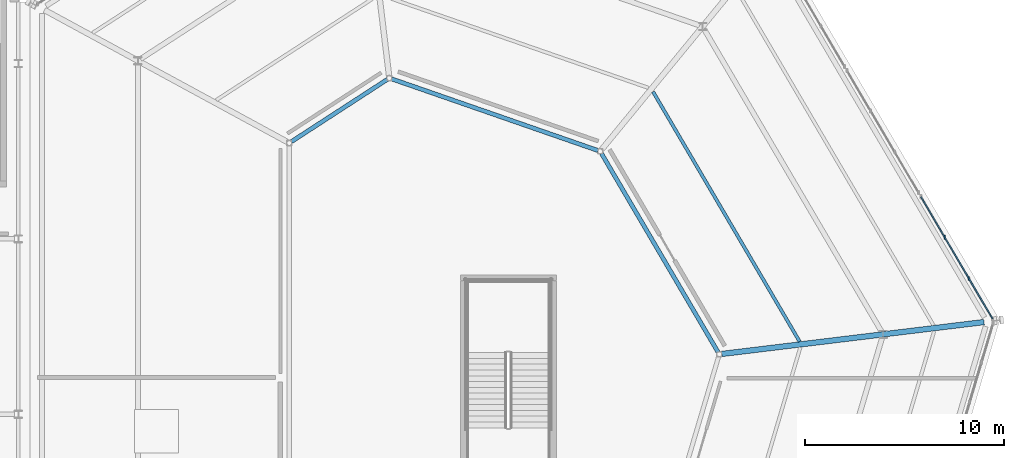
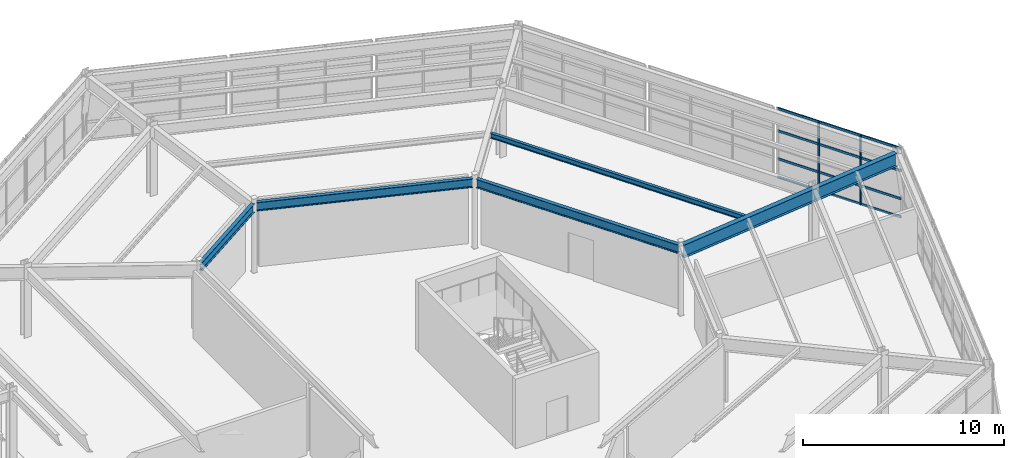
# One storey, part 46 of 88: 6 members, 5 beams, 1 element without a shape of its own.
"""IFC4 building model written with IfcOpenShell, lengths in metres."""

import ifcopenshell
import ifcopenshell.guid

model = None  # the IFC model being written
_history = None  # IfcOwnerHistory: only IFC2X3 demands one
_inside = {}  # id of a spatial element -> (the spatial element, [elements in it])
_under = {}  # id of a project, library or spatial element -> (it, [spatial elements below it])
_declared = {}  # id of a project -> (the project, [libraries it declares])
_typed = {}  # id of a type object -> (the type object, [elements of that type])
_made_of = {}  # id of a material, layer set ... -> (it, [elements and type objects made of it])


def new_model(schema):
    """Start an empty IFC model of exactly this schema.

    Asked for "IFC4X3", IfcOpenShell would pick the latest addendum, in which some entities
    have other attributes; the version numbers below select the first issue.
    IFC2X3 requires an IfcOwnerHistory on every rooted entity: one is made here for all.
    """
    global model, _history
    if schema == "IFC4X3":
        model = ifcopenshell.file(schema_version=(4, 3, 0, 0))
    else:
        model = ifcopenshell.file(schema=schema)
    _inside.clear()
    _under.clear()
    _declared.clear()
    _typed.clear()
    _made_of.clear()
    _history = None
    if model.schema == "IFC2X3":
        org = make("IfcOrganization", Name="unknown")
        user = make(
            "IfcPersonAndOrganization",
            ThePerson=make("IfcPerson", FamilyName="unknown"),
            TheOrganization=org,
        )
        app = make(
            "IfcApplication",
            ApplicationDeveloper=org,
            Version="unknown",
            ApplicationFullName="unknown",
            ApplicationIdentifier="unknown",
        )
        _history = make(
            "IfcOwnerHistory",
            OwningUser=user,
            OwningApplication=app,
            ChangeAction="ADDED",
            CreationDate=0,
        )
    return model


def make(cls, **values):
    """One entity of the class cls with the attributes given. An attribute that is None is left unset."""
    return model.create_entity(
        cls, **{name: value for name, value in values.items() if value is not None}
    )


def rooted(cls, **values):
    """An entity with a GlobalId (a new one), such as an element, a storey or a relation."""
    return make(cls, GlobalId=ifcopenshell.guid.new(), OwnerHistory=_history, **values)


def si_unit(unit_type, name, prefix=None):
    """IfcSIUnit, for example si_unit("LENGTHUNIT", "METRE", prefix="MILLI")."""
    return make("IfcSIUnit", UnitType=unit_type, Prefix=prefix, Name=name)


def assignment(units):
    """IfcUnitAssignment: the units of a project."""
    return None if units is None else make("IfcUnitAssignment", Units=units)


def point(xyz):
    """IfcCartesianPoint."""
    return None if xyz is None else make("IfcCartesianPoint", Coordinates=xyz)


def direction(xyz):
    """IfcDirection."""
    return None if xyz is None else make("IfcDirection", DirectionRatios=xyz)


def frame(location, z_axis=None, x_axis=None):
    """IfcAxis2Placement3D, a coordinate frame: its origin and axes. An axis left out is left unset."""
    return make(
        "IfcAxis2Placement3D",
        Location=point(location),
        Axis=direction(z_axis),
        RefDirection=direction(x_axis),
    )


def frame_2d(location, x_axis=None):
    """IfcAxis2Placement2D, a coordinate frame in the plane: its origin and x axis."""
    return make(
        "IfcAxis2Placement2D", Location=point(location), RefDirection=direction(x_axis)
    )


def origin():
    """The frame at (0, 0, 0) with its axes left unset."""
    return frame((0.0, 0.0, 0.0))


def origin_2d():
    """The frame at (0, 0) in the plane with its x axis left unset."""
    return frame_2d((0.0, 0.0))


def place(relative_to, where):
    """IfcLocalPlacement: puts the frame where relative to a parent placement (None: the world)."""
    return make(
        "IfcLocalPlacement", PlacementRelTo=relative_to, RelativePlacement=where
    )


def context(
    kind, dimensions, precision=None, world=None, true_north=None, identifier=None
):
    """IfcGeometricRepresentationContext, for example the 3D "Model" context."""
    return make(
        "IfcGeometricRepresentationContext",
        ContextIdentifier=identifier,
        ContextType=kind,
        CoordinateSpaceDimension=dimensions,
        Precision=precision,
        WorldCoordinateSystem=world,
        TrueNorth=true_north,
    )


def subcontext(parent, identifier, kind, view, scale=None):
    """IfcGeometricRepresentationSubContext, for example "Body" below "Model"."""
    return make(
        "IfcGeometricRepresentationSubContext",
        ContextIdentifier=identifier,
        ContextType=kind,
        ParentContext=parent,
        TargetScale=scale,
        TargetView=view,
    )


def project(units=None, contexts=None):
    """IfcProject with its units and contexts."""
    return rooted(
        "IfcProject",
        Name="project",
        RepresentationContexts=contexts,
        UnitsInContext=assignment(units),
    )


def spatial(cls, under=None, at=None, **own):
    """A site, building, storey or space (cls), placed at a placement, below another one or the project."""
    s = rooted(cls, ObjectPlacement=at, **own)
    if under is not None:
        _under.setdefault(under.id(), (under, []))[1].append(s)
    return s


def profile(cls, at=None, kind="AREA", **sizes):
    """A parametric profile (cls). Its sizes go by their IFC names, for example OverallWidth=200.0."""
    return make(cls, ProfileType=kind, Position=at, **sizes)


def rectangle(**sizes):
    """IfcRectangleProfileDef."""
    return profile("IfcRectangleProfileDef", **sizes)


def i_section(**sizes):
    """IfcIShapeProfileDef."""
    return profile("IfcIShapeProfileDef", **sizes)


def extrude(swept, where, along, depth):
    """IfcExtrudedAreaSolid: the profile swept, set in the frame where, extruded along a direction by depth."""
    return make(
        "IfcExtrudedAreaSolid",
        SweptArea=swept,
        Position=where,
        ExtrudedDirection=direction(along),
        Depth=depth,
    )


def shape(context_of_items, identifier, shape_type, items):
    """IfcShapeRepresentation: the items that make up one representation, for example the "Body"."""
    return make(
        "IfcShapeRepresentation",
        ContextOfItems=context_of_items,
        RepresentationIdentifier=identifier,
        RepresentationType=shape_type,
        Items=items,
    )


def material(Name=None, Category=None):
    """IfcMaterial."""
    return make("IfcMaterial", Name=Name, Category=Category)


def material_profile(
    of_material, cross_section, Name=None, Category=None, Priority=None
):
    """IfcMaterialProfile: a cross section and its material."""
    return make(
        "IfcMaterialProfile",
        Name=Name,
        Material=of_material,
        Profile=cross_section,
        Priority=Priority,
        Category=Category,
    )


def profile_set(profiles, Name=None, composite=None):
    """IfcMaterialProfileSet."""
    return make(
        "IfcMaterialProfileSet",
        Name=Name,
        MaterialProfiles=profiles,
        CompositeProfile=composite,
    )


def made_of(thing, what):
    """Note that an element or type object is made of a material, layer set ...; save() writes the relation."""
    if what is not None:
        _made_of.setdefault(what.id(), (what, []))[1].append(thing)
    return thing


def type_object(cls, material=None, **own):
    """A type object (cls), such as IfcWallType, which elements share."""
    return made_of(rooted(cls, **own), material)


def element(
    cls,
    number,
    at=None,
    inside=None,
    cuts=None,
    type_object=None,
    material=None,
    context=None,
    identifier="Body",
    shape_type=None,
    held_by="IfcProductDefinitionShape",
    body=None,
    shapes=None,
    **own,
):
    """One element of the class cls, such as IfcWall. Its Tag is "e" and its number.

    at: its placement. inside: the storey or other place that contains it. cuts: it is an
    opening in that element (IfcRelVoidsElement). A single representation is given by context,
    identifier, shape_type and body (its items); several are given by shapes. held_by: the class
    of the entity that holds the representations. save() writes the other relations.
    """
    e = rooted(cls, Tag="e%d" % number, ObjectPlacement=at, **own)
    if body is not None:
        shapes = [shape(context, identifier, shape_type, body)]
    if shapes is not None:
        e.Representation = make(held_by, Representations=shapes)
    if inside is not None:
        _inside.setdefault(inside.id(), (inside, []))[1].append(e)
    if cuts is not None:
        rooted(
            "IfcRelVoidsElement", RelatingBuildingElement=cuts, RelatedOpeningElement=e
        )
    if type_object is not None:
        _typed.setdefault(type_object.id(), (type_object, []))[1].append(e)
    return made_of(e, material)


def aggregate(whole, parts):
    """IfcRelAggregates: a whole, such as a stair, and the parts it consists of."""
    return rooted("IfcRelAggregates", RelatingObject=whole, RelatedObjects=parts)


def save(model, path):
    """Write the relations noted so far, then the file.

    IfcRelAggregates (storeys below a building ...), IfcRelContainedInSpatialStructure (elements
    in a storey), IfcRelDefinesByType, IfcRelAssociatesMaterial and IfcRelDeclares: one each for
    every whole, place, type object, material and project.
    """
    for whole, parts in _under.values():
        aggregate(whole, parts)
    for where, things in _inside.values():
        rooted(
            "IfcRelContainedInSpatialStructure",
            RelatedElements=things,
            RelatingStructure=where,
        )
    for kind, things in _typed.values():
        rooted("IfcRelDefinesByType", RelatedObjects=things, RelatingType=kind)
    for what, things in _made_of.values():
        rooted("IfcRelAssociatesMaterial", RelatedObjects=things, RelatingMaterial=what)
    for by, libraries in _declared.values():
        rooted("IfcRelDeclares", RelatingContext=by, RelatedDefinitions=libraries)
    model.write(path)


model = new_model("IFC4")

# Units and contexts
model_context = context("Model", 3, precision=1e-05, world=origin(), true_north=direction((0.0, 1.0)))
body_context = subcontext(model_context, "Body", "Model", "MODEL_VIEW")
ifc_project = project(units=[si_unit("LENGTHUNIT", "METRE"), si_unit("AREAUNIT", "SQUARE_METRE"), si_unit("VOLUMEUNIT", "CUBIC_METRE"), si_unit("PLANEANGLEUNIT", "RADIAN"), si_unit("MASSUNIT", "GRAM", prefix="KILO")], contexts=[model_context])

# Site, building, storey
site_placement = place(None, origin())
site = spatial("IfcSite", under=ifc_project, at=site_placement, CompositionType="ELEMENT")
building_placement = place(site_placement, origin())
building = spatial("IfcBuilding", under=site, at=building_placement, Name="Sarnbrook Museum", CompositionType="ELEMENT")
storey_placement = place(building_placement, frame((0.0, 0.0, 10.10009765625)))
storey = spatial("IfcBuildingStorey", under=building, at=storey_placement, Name="L02", CompositionType="ELEMENT", Elevation=10.10009765625)

# Beams
ifc_material_1 = material(Name="Structural Steel Grade 300PLUS (AS/NZS 3679.1, fy = 280 MPa for 17 < t <= 40 mm, 300 MPa for t <= 17 mm)", Category="steel")
ifc_material_profile_1 = material_profile(ifc_material_1, i_section(OverallWidth=0.208984375, OverallDepth=0.532958984375, WebThickness=0.01025390625, FlangeThickness=0.015625, FilletRadius=0.013916015625, at=origin_2d()), Name="530UB92.4")
ifc_profile_set_1 = profile_set([ifc_material_profile_1], Name="Structural Steel Grade 300PLUS (AS/NZS 3679.1, fy = 280 MPa for 17 < t <= 40 mm, 300 MPa for t <= 17 mm)")
beam_type_1 = type_object("IfcBeamType", Name="BM-UB530", PredefinedType="BEAM", material=ifc_profile_set_1)
beam_1_placement = place(storey_placement, frame((154.3212890625, 86.313720703125, 3.973388671875), z_axis=(-0.506064427748, 0.862495678231, 0.0), x_axis=(-0.862495678231, -0.506064427748, 0.0)))
element("IfcBeam", 1, at=beam_1_placement, inside=storey, type_object=beam_type_1, Name="Crystal Hall R2 Ring Girder 4 L02", PredefinedType="BEAM", context=body_context, shape_type="SweptSolid", body=[
    extrude(i_section(OverallWidth=0.208984375, OverallDepth=0.532958984375, WebThickness=0.01025390625, FlangeThickness=0.015625, FilletRadius=0.013916015625, at=origin_2d()), origin(), (0.0, 0.0, 1.0), 11.569580078125),
])
beam_2_placement = place(storey_placement, frame((148.292236328125, 96.435302734375, 3.973388671875), z_axis=(-0.944674814318, 0.328008376711, 0.0), x_axis=(-0.328008376711, -0.944674814318, 0.0)))
element("IfcBeam", 2, at=beam_2_placement, inside=storey, type_object=beam_type_1, Name="Crystal Hall R2 Ring Girder 5 L02", PredefinedType="BEAM", context=body_context, shape_type="SweptSolid", body=[
    extrude(i_section(OverallWidth=0.208984375, OverallDepth=0.532958984375, WebThickness=0.01025390625, FlangeThickness=0.015625, FilletRadius=0.013916015625, at=origin_2d()), origin(), (0.0, 0.0, 1.0), 10.962890625),
])
beam_3_placement = place(storey_placement, frame((137.7216796875, 100.00537109375, 3.973388671875), z_axis=(-0.838900474039, -0.544284846984, 0.0), x_axis=(0.544284846984, -0.838900474039, 0.0)))
element("IfcBeam", 3, at=beam_3_placement, inside=storey, type_object=beam_type_1, Name="Crystal Hall R2 Ring Girder 6 L02", PredefinedType="BEAM", context=body_context, shape_type="SweptSolid", body=[
    extrude(i_section(OverallWidth=0.208984375, OverallDepth=0.532958984375, WebThickness=0.01025390625, FlangeThickness=0.015625, FilletRadius=0.013916015625, at=origin_2d()), origin(), (0.0, 0.0, 1.0), 5.746826171875),
])
ifc_material_2 = material(Name="Structural Steel Grade 350L0 (AS/NZS 3678, fy = 340 MPa for 20 < t <= 40 mm)", Category="steel")
ifc_material_profile_2 = material_profile(ifc_material_2, i_section(OverallWidth=0.27490234375, OverallDepth=0.800048828125, WebThickness=0.010009765625, FlangeThickness=0.01611328125, at=origin_2d()), Name="800WB146")
ifc_profile_set_2 = profile_set([ifc_material_profile_2], Name="Structural Steel Grade 350L0 (AS/NZS 3678, fy = 340 MPa for 20 < t <= 40 mm)")
beam_type_2 = type_object("IfcBeamType", Name="CR-CANT", PredefinedType="BEAM", material=ifc_profile_set_2)
beam_4_placement = place(storey_placement, frame((154.501220703125, 86.224609375, 3.83984375), z_axis=(0.992686333652, 0.1207221727, 0.0), x_axis=(-0.1207221727, 0.992686333652, 0.0)))
element("IfcBeam", 4, at=beam_4_placement, inside=storey, type_object=beam_type_2, Name="Crystal Hall Radial Cantilever Girder 4 L02", PredefinedType="BEAM", context=body_context, shape_type="SweptSolid", body=[
    extrude(i_section(OverallWidth=0.27490234375, OverallDepth=0.800048828125, WebThickness=0.010009765625, FlangeThickness=0.01611328125, at=origin_2d()), origin(), (0.0, 0.0, 1.0), 13.264404296875),
])

# Curtain wall, members
ifc_material_3 = material(Name="Thermally Broken Anodised Aluminium 6063-T6", Category="aluminium")
curtain_wall_type = type_object("IfcCurtainWallType", Name="CurtainWall_CrystalFacet", PredefinedType="NOTDEFINED", material=ifc_material_3)
curtain_wall_placement = place(storey_placement, origin())
curtain_wall = element("IfcCurtainWall", 5, at=curtain_wall_placement, inside=storey, type_object=curtain_wall_type, Name="Crystal Hall Facet Curtain Wall L02-F4.1", PredefinedType="NOTDEFINED")
ifc_material_profile_3 = material_profile(ifc_material_3, rectangle(XDim=0.06494140625, YDim=0.179931640625, at=origin_2d()), Name="ALU MULLION 65x180")
ifc_profile_set_3 = profile_set([ifc_material_profile_3], Name="Thermally Broken Anodised Aluminium 6063-T6")
member_type_1 = type_object("IfcMemberType", Name="CW_Mullion_180x75", PredefinedType="MULLION", material=ifc_profile_set_3)
member_1_placement = place(storey_placement, frame((166.90478515625, 90.01904296875, 0.0), z_axis=(0.0, 0.0, 1.0), x_axis=(1.0, 0.0, 0.0)))
member_1 = element("IfcMember", 6, at=member_1_placement, type_object=member_type_1, Name="Crystal Hall Facet Curtain Wall L02-F4.1 Mullion 2", PredefinedType="MULLION", context=body_context, shape_type="SweptSolid", body=[
    extrude(rectangle(XDim=0.06494140625, YDim=0.179931640625, at=origin_2d()), origin(), (0.0, 0.0, 1.0), 4.239990234375),
])
member_2_placement = place(storey_placement, frame((165.693603515625, 92.083740234375, 0.0), z_axis=(0.0, 0.0, 1.0), x_axis=(1.0, 0.0, 0.0)))
member_2 = element("IfcMember", 7, at=member_2_placement, type_object=member_type_1, Name="Crystal Hall Facet Curtain Wall L02-F4.1 Mullion 3", PredefinedType="MULLION", context=body_context, shape_type="SweptSolid", body=[
    extrude(rectangle(XDim=0.06494140625, YDim=0.179931640625, at=origin_2d()), origin(), (0.0, 0.0, 1.0), 4.239990234375),
])
ifc_material_profile_4 = material_profile(ifc_material_3, rectangle(XDim=0.06494140625, YDim=0.139892578125, at=origin_2d()), Name="ALU TRANSOM 65x140")
ifc_profile_set_4 = profile_set([ifc_material_profile_4], Name="Thermally Broken Anodised Aluminium 6063-T6")
member_type_2 = type_object("IfcMemberType", Name="CW_Transom_150x65", PredefinedType="USERDEFINED", material=ifc_profile_set_4)
member_3_placement = place(storey_placement, frame((168.091064453125, 87.997314453125, 0.039794921875), z_axis=(-0.506045045467, 0.862507050382, 0.0), x_axis=(-0.862507050382, -0.506045045467, 0.0)))
member_3 = element("IfcMember", 8, at=member_3_placement, type_object=member_type_2, Name="Crystal Hall Facet Curtain Wall L02-F4.1 Transom 1", ObjectType="TRANSOM", PredefinedType="USERDEFINED", context=body_context, shape_type="SweptSolid", body=[
    extrude(rectangle(XDim=0.06494140625, YDim=0.139892578125, at=origin_2d()), origin(), (0.0, 0.0, 1.0), 7.081787109375),
])
member_4_placement = place(storey_placement, frame((168.091064453125, 87.997314453125, 1.14990234375), z_axis=(-0.506045045467, 0.862507050382, 0.0), x_axis=(-0.862507050382, -0.506045045467, 0.0)))
member_4 = element("IfcMember", 9, at=member_4_placement, type_object=member_type_2, Name="Crystal Hall Facet Curtain Wall L02-F4.1 Transom 2", ObjectType="TRANSOM", PredefinedType="USERDEFINED", context=body_context, shape_type="SweptSolid", body=[
    extrude(rectangle(XDim=0.06494140625, YDim=0.139892578125, at=origin_2d()), origin(), (0.0, 0.0, 1.0), 7.081787109375),
])
member_5_placement = place(storey_placement, frame((168.091064453125, 87.997314453125, 2.849853515625), z_axis=(-0.506045045467, 0.862507050382, 0.0), x_axis=(-0.862507050382, -0.506045045467, 0.0)))
member_5 = element("IfcMember", 10, at=member_5_placement, type_object=member_type_2, Name="Crystal Hall Facet Curtain Wall L02-F4.1 Transom 3", ObjectType="TRANSOM", PredefinedType="USERDEFINED", context=body_context, shape_type="SweptSolid", body=[
    extrude(rectangle(XDim=0.06494140625, YDim=0.139892578125, at=origin_2d()), origin(), (0.0, 0.0, 1.0), 7.081787109375),
])
member_6_placement = place(storey_placement, frame((168.091064453125, 87.997314453125, 4.199951171875), z_axis=(-0.506045045467, 0.862507050382, 0.0), x_axis=(-0.862507050382, -0.506045045467, 0.0)))
member_6 = element("IfcMember", 11, at=member_6_placement, type_object=member_type_2, Name="Crystal Hall Facet Curtain Wall L02-F4.1 Transom 4", ObjectType="TRANSOM", PredefinedType="USERDEFINED", context=body_context, shape_type="SweptSolid", body=[
    extrude(rectangle(XDim=0.06494140625, YDim=0.139892578125, at=origin_2d()), origin(), (0.0, 0.0, 1.0), 7.081787109375),
])
aggregate(curtain_wall, [member_1, member_2, member_3, member_4, member_5, member_6])

# Beam
ifc_material_profile_5 = material_profile(ifc_material_1, i_section(OverallWidth=0.1650390625, OverallDepth=0.303955078125, WebThickness=0.006103515625, FlangeThickness=0.01025390625, FilletRadius=0.011474609375, at=origin_2d()), Name="310UB40.4")
ifc_profile_set_5 = profile_set([ifc_material_profile_5], Name="Structural Steel Grade 300PLUS (AS/NZS 3679.1, fy = 280 MPa for 17 < t <= 40 mm, 300 MPa for t <= 17 mm)")
beam_type_3 = type_object("IfcBeamType", Name="JS-UB310", PredefinedType="JOIST", material=ifc_profile_set_5)
beam_5_placement = place(storey_placement, frame((158.413330078125, 86.848388671875, 4.087890625), z_axis=(-0.50605775092, 0.862499595788, 0.0), x_axis=(-0.862499595788, -0.50605775092, 0.0)))
element("IfcBeam", 12, at=beam_5_placement, inside=storey, type_object=beam_type_3, Name="Crystal Hall Tangential Joist MI-4 L02", PredefinedType="JOIST", context=body_context, shape_type="SweptSolid", body=[
    extrude(i_section(OverallWidth=0.1650390625, OverallDepth=0.303955078125, WebThickness=0.006103515625, FlangeThickness=0.01025390625, FilletRadius=0.011474609375, at=origin_2d()), origin(), (0.0, 0.0, 1.0), 14.5390625),
])

save(model, "model.ifc")
